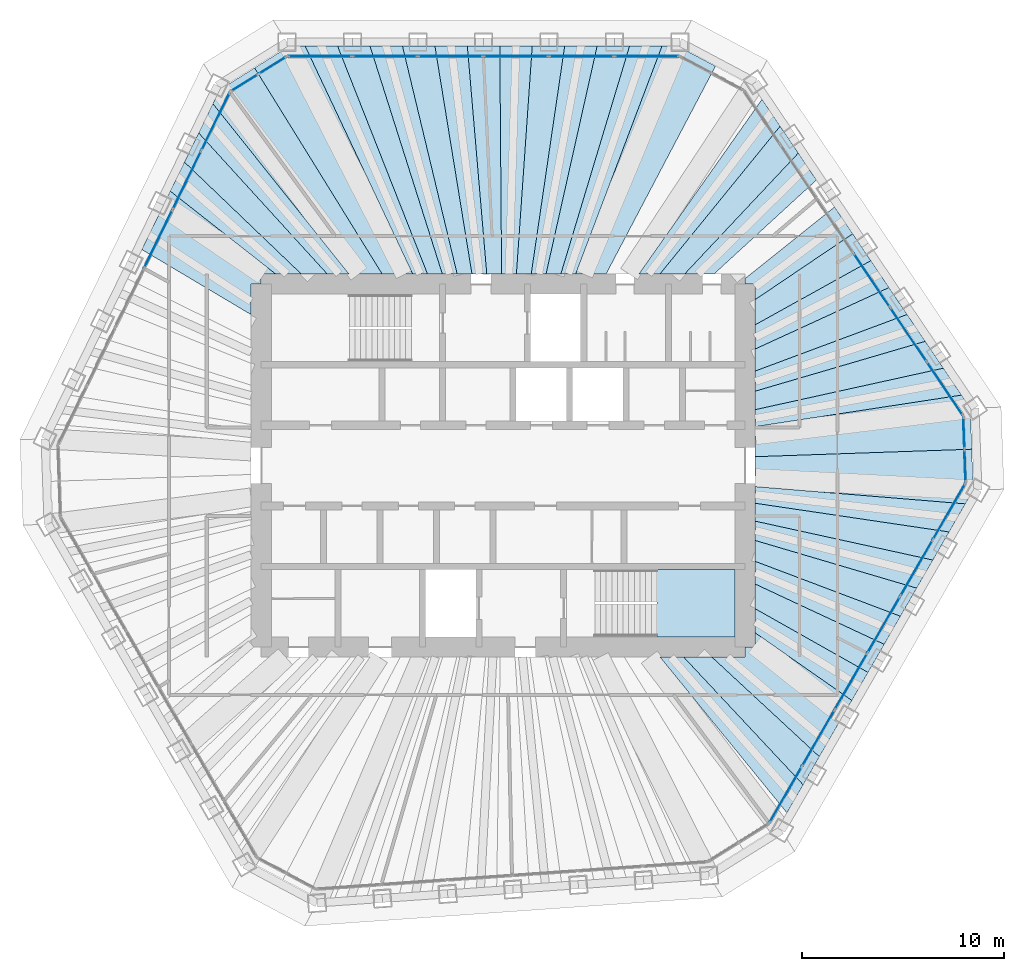
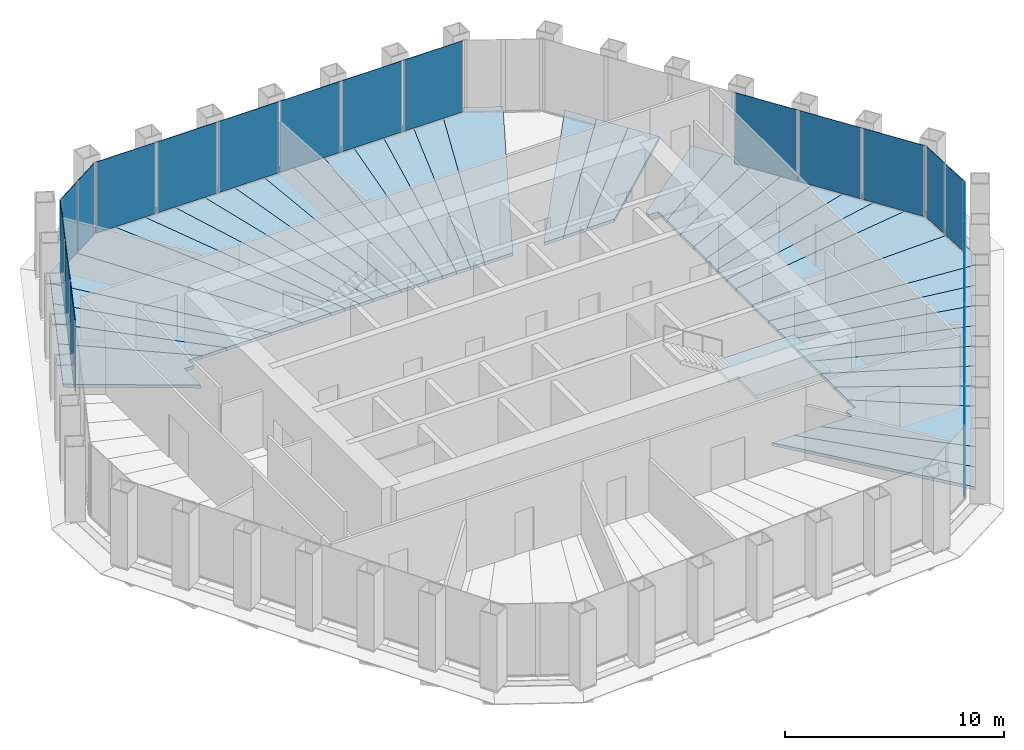
# One storey, part 10 of 14: 41 slabs, 22 plates, 7 elements without a shape of their own.
"""IFC4 building model written with IfcOpenShell, lengths in metres."""

from ifc_helpers import new_model, si_unit, direction, frame, origin, origin_2d, place, context, subcontext, project, spatial, polyline, rectangle, outline, extrude, material, layer, layer_set, type_object, element, aggregate, save


model = new_model("IFC4")

# Units and contexts
model_context = context("Model", 3, precision=1e-05, world=origin(), true_north=direction((0.0, 1.0)))
body_context = subcontext(model_context, "Body", "Model", "MODEL_VIEW")
ifc_project = project(units=[si_unit("LENGTHUNIT", "METRE"), si_unit("AREAUNIT", "SQUARE_METRE"), si_unit("VOLUMEUNIT", "CUBIC_METRE"), si_unit("PLANEANGLEUNIT", "RADIAN"), si_unit("MASSUNIT", "GRAM", prefix="KILO")], contexts=[model_context])

# Site, building, storey
site_placement = place(None, origin())
site = spatial("IfcSite", under=ifc_project, at=site_placement, CompositionType="ELEMENT")
building_placement = place(site_placement, origin())
building = spatial("IfcBuilding", under=site, at=building_placement, Name="Qingtian Harvest Tower", CompositionType="ELEMENT")
storey_placement = place(building_placement, frame((0.0, 0.0, 299.800048828125)))
storey = spatial("IfcBuildingStorey", under=building, at=storey_placement, Name="L66", CompositionType="ELEMENT", Elevation=299.800048828125)

# Slabs
ifc_material_1 = material(Name="Concrete fc' 35 MPa", Category="concrete")
ifc_layer_1 = layer(ifc_material_1, 0.169921875)
ifc_layer_set_1 = layer_set([ifc_layer_1], Name="Composite floor slab FS17 170")
slab_type_1 = type_object("IfcSlabType", Name="Composite floor slab FS17 170", PredefinedType="FLOOR", material=ifc_layer_set_1)
slab_1_placement = place(storey_placement, frame((0.0, 0.0, -0.170166015625)))
element("IfcSlab", 1, at=slab_1_placement, inside=storey, type_object=slab_type_1, Name="Floor slab L66 panel D28", PredefinedType="FLOOR", context=body_context, shape_type="SweptSolid", body=[
    extrude(outline(polyline([(8.957275390625, -9.5), (14.88232421875, -15.8330078125), (14.077880859375, -17.2265625), (7.78515625, -9.5), (8.957275390625, -9.5)])), origin(), (0.0, 0.0, 1.0), 0.170166015625),
])
slab_2_placement = place(storey_placement, frame((0.0, 0.0, -0.170166015625)))
element("IfcSlab", 2, at=slab_2_placement, inside=storey, type_object=slab_type_1, Name="Floor slab L66 panel D29", PredefinedType="FLOOR", context=body_context, shape_type="SweptSolid", body=[
    extrude(outline(polyline([(10.35693359375, -9.5), (15.68701171875, -14.439453125), (14.88232421875, -15.8330078125), (8.957275390625, -9.5), (10.35693359375, -9.5)])), origin(), (0.0, 0.0, 1.0), 0.170166015625),
])
slab_3_placement = place(storey_placement, frame((0.0, 0.0, -0.170166015625)))
element("IfcSlab", 3, at=slab_3_placement, inside=storey, type_object=slab_type_1, Name="Floor slab L66 panel D31", PredefinedType="FLOOR", context=body_context, shape_type="SweptSolid", body=[
    extrude(outline(polyline([(12.5, -8.29443359375), (17.297119140625, -11.650390625), (15.68701171875, -14.439453125), (10.35693359375, -9.5), (12.0, -9.5), (12.0, -9.0), (12.5, -9.0), (12.5, -8.29443359375)])), origin(), (0.0, 0.0, 1.0), 0.170166015625),
])
slab_4_placement = place(storey_placement, frame((0.0, 0.0, -0.170166015625)))
element("IfcSlab", 4, at=slab_4_placement, inside=storey, type_object=slab_type_1, Name="Floor slab L66 panel D32", PredefinedType="FLOOR", context=body_context, shape_type="SweptSolid", body=[
    extrude(outline(polyline([(12.5, -7.099853515625), (18.099853515625, -10.26025390625), (17.297119140625, -11.650390625), (12.5, -8.29443359375), (12.5, -7.099853515625)])), origin(), (0.0, 0.0, 1.0), 0.170166015625),
])
slab_5_placement = place(storey_placement, frame((0.0, 0.0, -0.170166015625)))
element("IfcSlab", 5, at=slab_5_placement, inside=storey, type_object=slab_type_1, Name="Floor slab L66 panel D33", PredefinedType="FLOOR", context=body_context, shape_type="SweptSolid", body=[
    extrude(outline(polyline([(12.5, -5.875244140625), (18.904296875, -8.86669921875), (18.099853515625, -10.26025390625), (12.5, -7.099853515625), (12.5, -5.875244140625)])), origin(), (0.0, 0.0, 1.0), 0.170166015625),
])
slab_6_placement = place(storey_placement, frame((0.0, 0.0, -0.170166015625)))
element("IfcSlab", 6, at=slab_6_placement, inside=storey, type_object=slab_type_1, Name="Floor slab L66 panel D34", PredefinedType="FLOOR", context=body_context, shape_type="SweptSolid", body=[
    extrude(outline(polyline([(12.5, -4.750732421875), (19.708740234375, -7.473388671875), (18.904296875, -8.86669921875), (12.5, -5.875244140625), (12.5, -4.750732421875)])), origin(), (0.0, 0.0, 1.0), 0.170166015625),
])
slab_7_placement = place(storey_placement, frame((0.0, 0.0, -0.170166015625)))
element("IfcSlab", 7, at=slab_7_placement, inside=storey, type_object=slab_type_1, Name="Floor slab L66 panel D35", PredefinedType="FLOOR", context=body_context, shape_type="SweptSolid", body=[
    extrude(outline(polyline([(12.5, -3.714599609375), (20.51318359375, -6.080078125), (19.708740234375, -7.473388671875), (12.5, -4.750732421875), (12.5, -3.714599609375)])), origin(), (0.0, 0.0, 1.0), 0.170166015625),
])
slab_8_placement = place(storey_placement, frame((0.0, 0.0, -0.170166015625)))
element("IfcSlab", 8, at=slab_8_placement, inside=storey, type_object=slab_type_1, Name="Floor slab L66 panel D36", PredefinedType="FLOOR", context=body_context, shape_type="SweptSolid", body=[
    extrude(outline(polyline([(12.5, -2.756591796875), (21.317626953125, -4.6865234375), (20.51318359375, -6.080078125), (12.5, -3.714599609375), (12.5, -2.756591796875)])), origin(), (0.0, 0.0, 1.0), 0.170166015625),
])
slab_9_placement = place(storey_placement, frame((0.0, 0.0, -0.170166015625)))
element("IfcSlab", 9, at=slab_9_placement, inside=storey, type_object=slab_type_1, Name="Floor slab L66 panel D37", PredefinedType="FLOOR", context=body_context, shape_type="SweptSolid", body=[
    extrude(outline(polyline([(12.5, -1.868408203125), (22.122314453125, -3.293212890625), (21.317626953125, -4.6865234375), (12.5, -2.756591796875), (12.5, -1.868408203125)])), origin(), (0.0, 0.0, 1.0), 0.170166015625),
])
slab_10_placement = place(storey_placement, frame((0.0, 0.0, -0.170166015625)))
element("IfcSlab", 10, at=slab_10_placement, inside=storey, type_object=slab_type_1, Name="Floor slab L66 panel D38", PredefinedType="FLOOR", context=body_context, shape_type="SweptSolid", body=[
    extrude(outline(polyline([(12.5, -1.042724609375), (22.9267578125, -1.89990234375), (22.122314453125, -3.293212890625), (12.5, -1.868408203125), (12.5, -1.042724609375)])), origin(), (0.0, 0.0, 1.0), 0.170166015625),
])
slab_11_placement = place(storey_placement, frame((0.0, 0.0, -0.170166015625)))
element("IfcSlab", 11, at=slab_11_placement, inside=storey, type_object=slab_type_1, Name="Floor slab L66 panel D39", PredefinedType="FLOOR", context=body_context, shape_type="SweptSolid", body=[
    extrude(outline(polyline([(12.5, -1.042724609375), (12.5, 0.439697265625), (23.246826171875, 0.811767578125), (23.31787109375, -1.22216796875), (22.9267578125, -1.89990234375), (12.5, -1.042724609375)])), origin(), (0.0, 0.0, 1.0), 0.170166015625),
])
slab_12_placement = place(storey_placement, frame((0.0, 0.0, -0.170166015625)))
element("IfcSlab", 12, at=slab_12_placement, inside=storey, type_object=slab_type_1, Name="Floor slab L66 panel D40", PredefinedType="FLOOR", context=body_context, shape_type="SweptSolid", body=[
    extrude(outline(polyline([(12.5, 0.439697265625), (12.5, 1.928955078125), (22.73828125, 3.494384765625), (23.17578125, 2.845947265625), (23.246826171875, 0.811767578125), (12.5, 0.439697265625)])), origin(), (0.0, 0.0, 1.0), 0.170166015625),
])
slab_13_placement = place(storey_placement, frame((0.0, 0.0, -0.170166015625)))
element("IfcSlab", 13, at=slab_13_placement, inside=storey, type_object=slab_type_1, Name="Floor slab L66 panel D41", PredefinedType="FLOOR", context=body_context, shape_type="SweptSolid", body=[
    extrude(outline(polyline([(12.5, 2.772705078125), (21.838623046875, 4.828369140625), (22.73828125, 3.494384765625), (12.5, 1.928955078125), (12.5, 2.772705078125)])), origin(), (0.0, 0.0, 1.0), 0.170166015625),
])
slab_14_placement = place(storey_placement, frame((0.0, 0.0, -0.170166015625)))
element("IfcSlab", 14, at=slab_14_placement, inside=storey, type_object=slab_type_1, Name="Floor slab L66 panel D42", PredefinedType="FLOOR", context=body_context, shape_type="SweptSolid", body=[
    extrude(outline(polyline([(12.5, 3.688720703125), (20.93896484375, 6.162353515625), (21.838623046875, 4.828369140625), (12.5, 2.772705078125), (12.5, 3.688720703125)])), origin(), (0.0, 0.0, 1.0), 0.170166015625),
])
slab_15_placement = place(storey_placement, frame((0.0, 0.0, -0.170166015625)))
element("IfcSlab", 15, at=slab_15_placement, inside=storey, type_object=slab_type_1, Name="Floor slab L66 panel D43", PredefinedType="FLOOR", context=body_context, shape_type="SweptSolid", body=[
    extrude(outline(polyline([(12.5, 4.6875), (20.0390625, 7.49609375), (20.93896484375, 6.162353515625), (12.5, 3.688720703125), (12.5, 4.6875)])), origin(), (0.0, 0.0, 1.0), 0.170166015625),
])
slab_16_placement = place(storey_placement, frame((0.0, 0.0, -0.170166015625)))
element("IfcSlab", 16, at=slab_16_placement, inside=storey, type_object=slab_type_1, Name="Floor slab L66 panel D44", PredefinedType="FLOOR", context=body_context, shape_type="SweptSolid", body=[
    extrude(outline(polyline([(12.5, 5.780029296875), (19.139404296875, 8.830078125), (20.0390625, 7.49609375), (12.5, 4.6875), (12.5, 5.780029296875)])), origin(), (0.0, 0.0, 1.0), 0.170166015625),
])
slab_17_placement = place(storey_placement, frame((0.0, 0.0, -0.170166015625)))
element("IfcSlab", 17, at=slab_17_placement, inside=storey, type_object=slab_type_1, Name="Floor slab L66 panel D45", PredefinedType="FLOOR", context=body_context, shape_type="SweptSolid", body=[
    extrude(outline(polyline([(12.5, 6.980712890625), (18.23974609375, 10.1640625), (19.139404296875, 8.830078125), (12.5, 5.780029296875), (12.5, 6.980712890625)])), origin(), (0.0, 0.0, 1.0), 0.170166015625),
])
slab_18_placement = place(storey_placement, frame((0.0, 0.0, -0.170166015625)))
element("IfcSlab", 18, at=slab_18_placement, inside=storey, type_object=slab_type_1, Name="Floor slab L66 panel D46", PredefinedType="FLOOR", context=body_context, shape_type="SweptSolid", body=[
    extrude(outline(polyline([(12.5, 8.22998046875), (17.341064453125, 11.496337890625), (18.23974609375, 10.1640625), (12.5, 6.980712890625), (12.5, 8.22998046875)])), origin(), (0.0, 0.0, 1.0), 0.170166015625),
])
slab_19_placement = place(storey_placement, frame((0.0, 0.0, -0.170166015625)))
element("IfcSlab", 19, at=slab_19_placement, inside=storey, type_object=slab_type_1, Name="Floor slab L66 panel D47", PredefinedType="FLOOR", context=body_context, shape_type="SweptSolid", body=[
    extrude(outline(polyline([(12.5, 9.0), (12.0, 9.0), (12.0, 9.2734375), (16.44189453125, 12.829345703125), (17.341064453125, 11.496337890625), (12.5, 8.22998046875), (12.5, 9.0)])), origin(), (0.0, 0.0, 1.0), 0.170166015625),
])
slab_20_placement = place(storey_placement, frame((0.0, 0.0, -0.170166015625)))
element("IfcSlab", 20, at=slab_20_placement, inside=storey, type_object=slab_type_1, Name="Floor slab L66 panel D49", PredefinedType="FLOOR", context=body_context, shape_type="SweptSolid", body=[
    extrude(outline(polyline([(9.002685546875, 9.5), (14.641357421875, 15.498779296875), (15.541259765625, 14.16455078125), (10.4599609375, 9.5), (9.002685546875, 9.5)])), origin(), (0.0, 0.0, 1.0), 0.170166015625),
])
slab_21_placement = place(storey_placement, frame((0.0, 0.0, -0.170166015625)))
element("IfcSlab", 21, at=slab_21_placement, inside=storey, type_object=slab_type_1, Name="Floor slab L66 panel D50", PredefinedType="FLOOR", context=body_context, shape_type="SweptSolid", body=[
    extrude(outline(polyline([(7.77734375, 9.5), (13.74169921875, 16.832763671875), (14.641357421875, 15.498779296875), (9.002685546875, 9.5), (7.77734375, 9.5)])), origin(), (0.0, 0.0, 1.0), 0.170166015625),
])
slab_22_placement = place(storey_placement, frame((0.0, 0.0, -0.170166015625)))
element("IfcSlab", 22, at=slab_22_placement, inside=storey, type_object=slab_type_1, Name="Floor slab L66 panel D51", PredefinedType="FLOOR", context=body_context, shape_type="SweptSolid", body=[
    extrude(outline(polyline([(6.73291015625, 9.5), (12.841796875, 18.16650390625), (13.74169921875, 16.832763671875), (7.77734375, 9.5), (6.73291015625, 9.5)])), origin(), (0.0, 0.0, 1.0), 0.170166015625),
])
slab_23_placement = place(storey_placement, frame((0.0, 0.0, -0.170166015625)))
element("IfcSlab", 23, at=slab_23_placement, inside=storey, type_object=slab_type_1, Name="Floor slab L66 panel D53", PredefinedType="FLOOR", context=body_context, shape_type="SweptSolid", body=[
    extrude(outline(polyline([(3.59814453125, 9.5), (7.880126953125, 20.804931640625), (8.662109375, 20.804931640625), (10.5341796875, 19.809814453125), (5.108154296875, 9.5), (3.59814453125, 9.5)])), origin(), (0.0, 0.0, 1.0), 0.170166015625),
])
slab_24_placement = place(storey_placement, frame((0.0, 0.0, -0.170166015625)))
element("IfcSlab", 24, at=slab_24_placement, inside=storey, type_object=slab_type_1, Name="Floor slab L66 panel D54", PredefinedType="FLOOR", context=body_context, shape_type="SweptSolid", body=[
    extrude(outline(polyline([(2.863525390625, 9.5), (6.27099609375, 20.804931640625), (7.880126953125, 20.804931640625), (3.59814453125, 9.5), (2.863525390625, 9.5)])), origin(), (0.0, 0.0, 1.0), 0.170166015625),
])
slab_25_placement = place(storey_placement, frame((0.0, 0.0, -0.170166015625)))
element("IfcSlab", 25, at=slab_25_placement, inside=storey, type_object=slab_type_1, Name="Floor slab L66 panel D55", PredefinedType="FLOOR", context=body_context, shape_type="SweptSolid", body=[
    extrude(outline(polyline([(2.12890625, 9.5), (4.662109375, 20.804931640625), (6.27099609375, 20.804931640625), (2.863525390625, 9.5), (2.12890625, 9.5)])), origin(), (0.0, 0.0, 1.0), 0.170166015625),
])
slab_26_placement = place(storey_placement, frame((0.0, 0.0, -0.170166015625)))
element("IfcSlab", 26, at=slab_26_placement, inside=storey, type_object=slab_type_1, Name="Floor slab L66 panel D56", PredefinedType="FLOOR", context=body_context, shape_type="SweptSolid", body=[
    extrude(outline(polyline([(1.394287109375, 9.5), (3.05322265625, 20.804931640625), (4.662109375, 20.804931640625), (2.12890625, 9.5), (1.394287109375, 9.5)])), origin(), (0.0, 0.0, 1.0), 0.170166015625),
])
slab_27_placement = place(storey_placement, frame((0.0, 0.0, -0.170166015625)))
element("IfcSlab", 27, at=slab_27_placement, inside=storey, type_object=slab_type_1, Name="Floor slab L66 panel D57", PredefinedType="FLOOR", context=body_context, shape_type="SweptSolid", body=[
    extrude(outline(polyline([(0.659423828125, 9.5), (1.4443359375, 20.804931640625), (3.05322265625, 20.804931640625), (1.394287109375, 9.5), (0.659423828125, 9.5)])), origin(), (0.0, 0.0, 1.0), 0.170166015625),
])
slab_28_placement = place(storey_placement, frame((0.0, 0.0, -0.170166015625)))
element("IfcSlab", 28, at=slab_28_placement, inside=storey, type_object=slab_type_1, Name="Floor slab L66 panel D58", PredefinedType="FLOOR", context=body_context, shape_type="SweptSolid", body=[
    extrude(outline(polyline([(-0.0751953125, 9.5), (-0.16455078125, 20.804931640625), (1.4443359375, 20.804931640625), (0.659423828125, 9.5), (-0.0751953125, 9.5)])), origin(), (0.0, 0.0, 1.0), 0.170166015625),
])
slab_29_placement = place(storey_placement, frame((0.0, 0.0, -0.170166015625)))
element("IfcSlab", 29, at=slab_29_placement, inside=storey, type_object=slab_type_1, Name="Floor slab L66 panel D59", PredefinedType="FLOOR", context=body_context, shape_type="SweptSolid", body=[
    extrude(outline(polyline([(-0.809814453125, 9.5), (-1.773681640625, 20.804931640625), (-0.16455078125, 20.804931640625), (-0.0751953125, 9.5), (-0.809814453125, 9.5)])), origin(), (0.0, 0.0, 1.0), 0.170166015625),
])
slab_30_placement = place(storey_placement, frame((0.0, 0.0, -0.170166015625)))
element("IfcSlab", 30, at=slab_30_placement, inside=storey, type_object=slab_type_1, Name="Floor slab L66 panel D60", PredefinedType="FLOOR", context=body_context, shape_type="SweptSolid", body=[
    extrude(outline(polyline([(-1.54443359375, 9.5), (-3.382568359375, 20.804931640625), (-1.773681640625, 20.804931640625), (-0.809814453125, 9.5), (-1.54443359375, 9.5)])), origin(), (0.0, 0.0, 1.0), 0.170166015625),
])
slab_31_placement = place(storey_placement, frame((0.0, 0.0, -0.170166015625)))
element("IfcSlab", 31, at=slab_31_placement, inside=storey, type_object=slab_type_1, Name="Floor slab L66 panel D61", PredefinedType="FLOOR", context=body_context, shape_type="SweptSolid", body=[
    extrude(outline(polyline([(-2.279296875, 9.5), (-4.991455078125, 20.804931640625), (-3.382568359375, 20.804931640625), (-1.54443359375, 9.5), (-2.279296875, 9.5)])), origin(), (0.0, 0.0, 1.0), 0.170166015625),
])
slab_32_placement = place(storey_placement, frame((0.0, 0.0, -0.170166015625)))
element("IfcSlab", 32, at=slab_32_placement, inside=storey, type_object=slab_type_1, Name="Floor slab L66 panel D62", PredefinedType="FLOOR", context=body_context, shape_type="SweptSolid", body=[
    extrude(outline(polyline([(-3.013916015625, 9.5), (-6.600341796875, 20.804931640625), (-4.991455078125, 20.804931640625), (-2.279296875, 9.5), (-3.013916015625, 9.5)])), origin(), (0.0, 0.0, 1.0), 0.170166015625),
])
slab_33_placement = place(storey_placement, frame((0.0, 0.0, -0.170166015625)))
element("IfcSlab", 33, at=slab_33_placement, inside=storey, type_object=slab_type_1, Name="Floor slab L66 panel D63", PredefinedType="FLOOR", context=body_context, shape_type="SweptSolid", body=[
    extrude(outline(polyline([(-3.74853515625, 9.5), (-8.209228515625, 20.804931640625), (-6.600341796875, 20.804931640625), (-3.013916015625, 9.5), (-3.74853515625, 9.5)])), origin(), (0.0, 0.0, 1.0), 0.170166015625),
])
slab_34_placement = place(storey_placement, frame((0.0, 0.0, -0.170166015625)))
element("IfcSlab", 34, at=slab_34_placement, inside=storey, type_object=slab_type_1, Name="Floor slab L66 panel D64", PredefinedType="FLOOR", context=body_context, shape_type="SweptSolid", body=[
    extrude(outline(polyline([(-4.483154296875, 9.5), (-9.818115234375, 20.804931640625), (-8.209228515625, 20.804931640625), (-3.74853515625, 9.5), (-4.483154296875, 9.5)])), origin(), (0.0, 0.0, 1.0), 0.170166015625),
])
slab_35_placement = place(storey_placement, frame((0.0, 0.0, -0.170166015625)))
element("IfcSlab", 35, at=slab_35_placement, inside=storey, type_object=slab_type_1, Name="Floor slab L66 panel D65", PredefinedType="FLOOR", context=body_context, shape_type="SweptSolid", body=[
    extrude(outline(polyline([(-4.483154296875, 9.5), (-5.998291015625, 9.5), (-12.327392578125, 19.725830078125), (-10.600341796875, 20.804931640625), (-9.818115234375, 20.804931640625), (-4.483154296875, 9.5)])), origin(), (0.0, 0.0, 1.0), 0.170166015625),
])
slab_36_placement = place(storey_placement, frame((0.0, 0.0, -0.170166015625)))
element("IfcSlab", 36, at=slab_36_placement, inside=storey, type_object=slab_type_1, Name="Floor slab L66 panel D66", PredefinedType="FLOOR", context=body_context, shape_type="SweptSolid", body=[
    extrude(outline(polyline([(-5.998291015625, 9.5), (-7.640869140625, 9.5), (-14.3955078125, 17.944580078125), (-14.052490234375, 18.64794921875), (-12.327392578125, 19.725830078125), (-5.998291015625, 9.5)])), origin(), (0.0, 0.0, 1.0), 0.170166015625),
])
slab_37_placement = place(storey_placement, frame((0.0, 0.0, -0.170166015625)))
element("IfcSlab", 37, at=slab_37_placement, inside=storey, type_object=slab_type_1, Name="Floor slab L66 panel D67", PredefinedType="FLOOR", context=body_context, shape_type="SweptSolid", body=[
    extrude(outline(polyline([(-8.720703125, 9.5), (-15.100830078125, 16.498291015625), (-14.3955078125, 17.944580078125), (-7.640869140625, 9.5), (-8.720703125, 9.5)])), origin(), (0.0, 0.0, 1.0), 0.170166015625),
])
slab_38_placement = place(storey_placement, frame((0.0, 0.0, -0.170166015625)))
element("IfcSlab", 38, at=slab_38_placement, inside=storey, type_object=slab_type_1, Name="Floor slab L66 panel D68", PredefinedType="FLOOR", context=body_context, shape_type="SweptSolid", body=[
    extrude(outline(polyline([(-10.00927734375, 9.5), (-15.80615234375, 15.05224609375), (-15.100830078125, 16.498291015625), (-8.720703125, 9.5), (-10.00927734375, 9.5)])), origin(), (0.0, 0.0, 1.0), 0.170166015625),
])
slab_39_placement = place(storey_placement, frame((0.0, 0.0, -0.170166015625)))
element("IfcSlab", 39, at=slab_39_placement, inside=storey, type_object=slab_type_1, Name="Floor slab L66 panel D69", PredefinedType="FLOOR", context=body_context, shape_type="SweptSolid", body=[
    extrude(outline(polyline([(-11.28125, 9.5), (-16.50927734375, 13.61083984375), (-15.80615234375, 15.05224609375), (-10.00927734375, 9.5), (-11.28125, 9.5)])), origin(), (0.0, 0.0, 1.0), 0.170166015625),
])
slab_40_placement = place(storey_placement, frame((0.0, 0.0, -0.170166015625)))
element("IfcSlab", 40, at=slab_40_placement, inside=storey, type_object=slab_type_1, Name="Floor slab L66 panel D70", PredefinedType="FLOOR", context=body_context, shape_type="SweptSolid", body=[
    extrude(outline(polyline([(-12.0, 9.0), (-12.5, 9.0), (-12.5, 7.48583984375), (-17.921875, 10.714599609375), (-16.50927734375, 13.61083984375), (-11.28125, 9.5), (-12.0, 9.5), (-12.0, 9.0)])), origin(), (0.0, 0.0, 1.0), 0.170166015625),
])

# Curtain wall, plates
ifc_material_2 = material(Name="Bronze-anodised aluminium curtain wall", Category="aluminium")
curtain_wall_type = type_object("IfcCurtainWallType", Name="Curtain wall CW5 upper office", PredefinedType="USERDEFINED", material=ifc_material_2)
curtain_wall_1_placement = place(storey_placement, origin())
curtain_wall_1 = element("IfcCurtainWall", 41, at=curtain_wall_1_placement, inside=storey, type_object=curtain_wall_type, Name="Curtain wall CW5 L66 N0-5", ObjectType="RECESSED CURTAIN WALL", PredefinedType="USERDEFINED")
ifc_material_3 = material(Name="Bronze-tinted laminated insulating glass", Category="glass")
ifc_layer_2 = layer(ifc_material_3, 0.030029296875)
ifc_layer_set_2 = layer_set([ifc_layer_2], Name="Glazed panel CWP tinted IGU")
plate_type = type_object("IfcPlateType", Name="Glazed panel CWP tinted IGU", PredefinedType="CURTAIN_PANEL", material=ifc_layer_set_2)
plate_1_placement = place(storey_placement, frame((-9.08203125, 20.300048828125, 0.06494140625), z_axis=(0.0, 0.0, 1.0), x_axis=(1.0, 0.0, 0.0)))
plate_1 = element("IfcPlate", 42, at=plate_1_placement, type_object=plate_type, Name="CW5 panel 1.1", PredefinedType="CURTAIN_PANEL", context=body_context, shape_type="SweptSolid", body=[
    extrude(rectangle(XDim=3.150634765625, YDim=0.030029296875, at=origin_2d()), origin(), (0.0, 0.0, 1.0), 3.965087890625),
])
plate_2_placement = place(storey_placement, frame((-5.85009765625, 20.300048828125, 0.06494140625), z_axis=(0.0, 0.0, 1.0), x_axis=(1.0, 0.0, 0.0)))
plate_2 = element("IfcPlate", 43, at=plate_2_placement, type_object=plate_type, Name="CW5 panel 2.1", PredefinedType="CURTAIN_PANEL", context=body_context, shape_type="SweptSolid", body=[
    extrude(rectangle(XDim=3.18310546875, YDim=0.030029296875, at=origin_2d()), origin(), (0.0, 0.0, 1.0), 3.965087890625),
])
plate_3_placement = place(storey_placement, frame((-2.602294921875, 20.300048828125, 0.06494140625), z_axis=(0.0, 0.0, 1.0), x_axis=(1.0, 0.0, 0.0)))
plate_3 = element("IfcPlate", 44, at=plate_3_placement, type_object=plate_type, Name="CW5 panel 3.1", PredefinedType="CURTAIN_PANEL", context=body_context, shape_type="SweptSolid", body=[
    extrude(rectangle(XDim=3.18310546875, YDim=0.030029296875, at=origin_2d()), origin(), (0.0, 0.0, 1.0), 3.965087890625),
])
plate_4_placement = place(storey_placement, frame((0.645751953125, 20.300048828125, 0.06494140625), z_axis=(0.0, 0.0, 1.0), x_axis=(1.0, 0.0, 0.0)))
plate_4 = element("IfcPlate", 45, at=plate_4_placement, type_object=plate_type, Name="CW5 panel 4.1", PredefinedType="CURTAIN_PANEL", context=body_context, shape_type="SweptSolid", body=[
    extrude(rectangle(XDim=3.18310546875, YDim=0.030029296875, at=origin_2d()), origin(), (0.0, 0.0, 1.0), 3.965087890625),
])
plate_5_placement = place(storey_placement, frame((3.893798828125, 20.300048828125, 0.06494140625), z_axis=(0.0, 0.0, 1.0), x_axis=(1.0, 0.0, 0.0)))
plate_5 = element("IfcPlate", 46, at=plate_5_placement, type_object=plate_type, Name="CW5 panel 5.1", PredefinedType="CURTAIN_PANEL", context=body_context, shape_type="SweptSolid", body=[
    extrude(rectangle(XDim=3.18310546875, YDim=0.030029296875, at=origin_2d()), origin(), (0.0, 0.0, 1.0), 3.965087890625),
])
plate_6_placement = place(storey_placement, frame((7.125732421875, 20.300048828125, 0.06494140625), z_axis=(0.0, 0.0, 1.0), x_axis=(1.0, 0.0, 0.0)))
plate_6 = element("IfcPlate", 47, at=plate_6_placement, type_object=plate_type, Name="CW5 panel 6.1", PredefinedType="CURTAIN_PANEL", context=body_context, shape_type="SweptSolid", body=[
    extrude(rectangle(XDim=3.150634765625, YDim=0.030029296875, at=origin_2d()), origin(), (0.0, 0.0, 1.0), 3.965087890625),
])
aggregate(curtain_wall_1, [plate_1, plate_2, plate_3, plate_4, plate_5, plate_6])

curtain_wall_2_placement = place(storey_placement, origin())
curtain_wall_2 = element("IfcCurtainWall", 48, at=curtain_wall_2_placement, inside=storey, type_object=curtain_wall_type, Name="Curtain wall CW5 L66 NE0-5", ObjectType="RECESSED CURTAIN WALL", PredefinedType="USERDEFINED")
plate_7_placement = place(storey_placement, frame((18.28466796875, 9.1943359375, 0.06494140625), z_axis=(0.0, 0.0, 1.0), x_axis=(0.559192903471, -0.829037572555, 0.0)))
plate_7 = element("IfcPlate", 49, at=plate_7_placement, type_object=plate_type, Name="CW5 panel 4.1", PredefinedType="CURTAIN_PANEL", context=body_context, shape_type="SweptSolid", body=[
    extrude(rectangle(XDim=3.18310546875, YDim=0.030029296875, at=origin_2d()), origin(), (0.0, 0.0, 1.0), 3.965087890625),
])
plate_8_placement = place(storey_placement, frame((20.100830078125, 6.50146484375, 0.06494140625), z_axis=(0.0, 0.0, 1.0), x_axis=(0.559192903471, -0.829037572555, 0.0)))
plate_8 = element("IfcPlate", 50, at=plate_8_placement, type_object=plate_type, Name="CW5 panel 5.1", PredefinedType="CURTAIN_PANEL", context=body_context, shape_type="SweptSolid", body=[
    extrude(rectangle(XDim=3.18310546875, YDim=0.030029296875, at=origin_2d()), origin(), (0.0, 0.0, 1.0), 3.965087890625),
])
plate_9_placement = place(storey_placement, frame((21.907958984375, 3.822265625, 0.06494140625), z_axis=(0.0, 0.0, 1.0), x_axis=(0.559192903471, -0.829037572555, 0.0)))
plate_9 = element("IfcPlate", 51, at=plate_9_placement, type_object=plate_type, Name="CW5 panel 6.1", PredefinedType="CURTAIN_PANEL", context=body_context, shape_type="SweptSolid", body=[
    extrude(rectangle(XDim=3.150634765625, YDim=0.030029296875, at=origin_2d()), origin(), (0.0, 0.0, 1.0), 3.965087890625),
])
aggregate(curtain_wall_2, [plate_7, plate_8, plate_9])

curtain_wall_3_placement = place(storey_placement, origin())
curtain_wall_3 = element("IfcCurtainWall", 52, at=curtain_wall_3_placement, inside=storey, type_object=curtain_wall_type, Name="Curtain wall CW5 L66 NEC", ObjectType="RECESSED CURTAIN WALL", PredefinedType="USERDEFINED")
plate_10_placement = place(storey_placement, frame((22.85498046875, 1.614501953125, 0.06494140625), z_axis=(0.0, 0.0, 1.0), x_axis=(0.034899496703, -0.999390827019, 0.0)))
plate_10 = element("IfcPlate", 53, at=plate_10_placement, type_object=plate_type, Name="CW5 panel 1.1", PredefinedType="CURTAIN_PANEL", context=body_context, shape_type="SweptSolid", body=[
    extrude(rectangle(XDim=1.56689453125, YDim=0.030029296875, at=origin_2d()), origin(), (0.0, 0.0, 1.0), 3.965087890625),
])
plate_11_placement = place(storey_placement, frame((22.911865234375, -0.016357421875, 0.06494140625), z_axis=(0.0, 0.0, 1.0), x_axis=(0.034899496703, -0.999390827019, 0.0)))
plate_11 = element("IfcPlate", 54, at=plate_11_placement, type_object=plate_type, Name="CW5 panel 2.1", PredefinedType="CURTAIN_PANEL", context=body_context, shape_type="SweptSolid", body=[
    extrude(rectangle(XDim=1.56689453125, YDim=0.030029296875, at=origin_2d()), origin(), (0.0, 0.0, 1.0), 3.965087890625),
])
aggregate(curtain_wall_3, [plate_10, plate_11])

curtain_wall_4_placement = place(storey_placement, origin())
curtain_wall_4 = element("IfcCurtainWall", 55, at=curtain_wall_4_placement, inside=storey, type_object=curtain_wall_type, Name="Curtain wall CW5 L66 SE0-5", ObjectType="RECESSED CURTAIN WALL", PredefinedType="USERDEFINED")
plate_12_placement = place(storey_placement, frame((22.121337890625, -2.28466796875, 0.06494140625), z_axis=(0.0, 0.0, 1.0), x_axis=(-0.5, -0.866025403784, 0.0)))
plate_12 = element("IfcPlate", 56, at=plate_12_placement, type_object=plate_type, Name="CW5 panel 1.1", PredefinedType="CURTAIN_PANEL", context=body_context, shape_type="SweptSolid", body=[
    extrude(rectangle(XDim=3.150634765625, YDim=0.030029296875, at=origin_2d()), origin(), (0.0, 0.0, 1.0), 3.965087890625),
])
plate_13_placement = place(storey_placement, frame((20.50537109375, -5.08349609375, 0.06494140625), z_axis=(0.0, 0.0, 1.0), x_axis=(-0.5, -0.866025403784, 0.0)))
plate_13 = element("IfcPlate", 57, at=plate_13_placement, type_object=plate_type, Name="CW5 panel 2.1", PredefinedType="CURTAIN_PANEL", context=body_context, shape_type="SweptSolid", body=[
    extrude(rectangle(XDim=3.18310546875, YDim=0.030029296875, at=origin_2d()), origin(), (0.0, 0.0, 1.0), 3.965087890625),
])
plate_14_placement = place(storey_placement, frame((18.88134765625, -7.896484375, 0.06494140625), z_axis=(0.0, 0.0, 1.0), x_axis=(-0.5, -0.866025403784, 0.0)))
plate_14 = element("IfcPlate", 58, at=plate_14_placement, type_object=plate_type, Name="CW5 panel 3.1", PredefinedType="CURTAIN_PANEL", context=body_context, shape_type="SweptSolid", body=[
    extrude(rectangle(XDim=3.18310546875, YDim=0.030029296875, at=origin_2d()), origin(), (0.0, 0.0, 1.0), 3.965087890625),
])
plate_15_placement = place(storey_placement, frame((17.25732421875, -10.709228515625, 0.06494140625), z_axis=(0.0, 0.0, 1.0), x_axis=(-0.5, -0.866025403784, 0.0)))
plate_15 = element("IfcPlate", 59, at=plate_15_placement, type_object=plate_type, Name="CW5 panel 4.1", PredefinedType="CURTAIN_PANEL", context=body_context, shape_type="SweptSolid", body=[
    extrude(rectangle(XDim=3.18310546875, YDim=0.030029296875, at=origin_2d()), origin(), (0.0, 0.0, 1.0), 3.965087890625),
])
plate_16_placement = place(storey_placement, frame((15.63330078125, -13.522216796875, 0.06494140625), z_axis=(0.0, 0.0, 1.0), x_axis=(-0.5, -0.866025403784, 0.0)))
plate_16 = element("IfcPlate", 60, at=plate_16_placement, type_object=plate_type, Name="CW5 panel 5.1", PredefinedType="CURTAIN_PANEL", context=body_context, shape_type="SweptSolid", body=[
    extrude(rectangle(XDim=3.18310546875, YDim=0.030029296875, at=origin_2d()), origin(), (0.0, 0.0, 1.0), 3.965087890625),
])
plate_17_placement = place(storey_placement, frame((14.017578125, -16.321044921875, 0.06494140625), z_axis=(0.0, 0.0, 1.0), x_axis=(-0.5, -0.866025403784, 0.0)))
plate_17 = element("IfcPlate", 61, at=plate_17_placement, type_object=plate_type, Name="CW5 panel 6.1", PredefinedType="CURTAIN_PANEL", context=body_context, shape_type="SweptSolid", body=[
    extrude(rectangle(XDim=3.150634765625, YDim=0.030029296875, at=origin_2d()), origin(), (0.0, 0.0, 1.0), 3.965087890625),
])
aggregate(curtain_wall_4, [plate_12, plate_13, plate_14, plate_15, plate_16, plate_17])

curtain_wall_5_placement = place(storey_placement, origin())
curtain_wall_5 = element("IfcCurtainWall", 62, at=curtain_wall_5_placement, inside=storey, type_object=curtain_wall_type, Name="Curtain wall CW5 L66 NW0-5", ObjectType="RECESSED CURTAIN WALL", PredefinedType="USERDEFINED")
plate_18_placement = place(storey_placement, frame((-17.104736328125, 11.23779296875, 0.06494140625), z_axis=(0.0, 0.0, 1.0), x_axis=(0.438371146789, 0.898794046299, 0.0)))
plate_18 = element("IfcPlate", 63, at=plate_18_placement, type_object=plate_type, Name="CW5 panel 4.1", PredefinedType="CURTAIN_PANEL", context=body_context, shape_type="SweptSolid", body=[
    extrude(rectangle(XDim=3.18310546875, YDim=0.030029296875, at=origin_2d()), origin(), (0.0, 0.0, 1.0), 3.965087890625),
])
plate_19_placement = place(storey_placement, frame((-15.680908203125, 14.156982421875, 0.06494140625), z_axis=(0.0, 0.0, 1.0), x_axis=(0.438371146789, 0.898794046299, 0.0)))
plate_19 = element("IfcPlate", 64, at=plate_19_placement, type_object=plate_type, Name="CW5 panel 5.1", PredefinedType="CURTAIN_PANEL", context=body_context, shape_type="SweptSolid", body=[
    extrude(rectangle(XDim=3.18310546875, YDim=0.030029296875, at=origin_2d()), origin(), (0.0, 0.0, 1.0), 3.965087890625),
])
plate_20_placement = place(storey_placement, frame((-14.26416015625, 17.061767578125, 0.06494140625), z_axis=(0.0, 0.0, 1.0), x_axis=(0.438371146789, 0.898794046299, 0.0)))
plate_20 = element("IfcPlate", 65, at=plate_20_placement, type_object=plate_type, Name="CW5 panel 6.1", PredefinedType="CURTAIN_PANEL", context=body_context, shape_type="SweptSolid", body=[
    extrude(rectangle(XDim=3.150634765625, YDim=0.030029296875, at=origin_2d()), origin(), (0.0, 0.0, 1.0), 3.965087890625),
])
aggregate(curtain_wall_5, [plate_18, plate_19, plate_20])

curtain_wall_6_placement = place(storey_placement, origin())
curtain_wall_6 = element("IfcCurtainWall", 66, at=curtain_wall_6_placement, inside=storey, type_object=curtain_wall_type, Name="Curtain wall CW5 L66 NWC", ObjectType="RECESSED CURTAIN WALL", PredefinedType="USERDEFINED")
plate_21_placement = place(storey_placement, frame((-12.82568359375, 18.985595703125, 0.06494140625), z_axis=(0.0, 0.0, 1.0), x_axis=(0.848048096156, 0.529919264233, 0.0)))
plate_21 = element("IfcPlate", 67, at=plate_21_placement, type_object=plate_type, Name="CW5 panel 1.1", PredefinedType="CURTAIN_PANEL", context=body_context, shape_type="SweptSolid", body=[
    extrude(rectangle(XDim=1.56689453125, YDim=0.030029296875, at=origin_2d()), origin(), (0.0, 0.0, 1.0), 3.965087890625),
])
plate_22_placement = place(storey_placement, frame((-11.441650390625, 19.850341796875, 0.06494140625), z_axis=(0.0, 0.0, 1.0), x_axis=(0.848048096156, 0.529919264233, 0.0)))
plate_22 = element("IfcPlate", 68, at=plate_22_placement, type_object=plate_type, Name="CW5 panel 2.1", PredefinedType="CURTAIN_PANEL", context=body_context, shape_type="SweptSolid", body=[
    extrude(rectangle(XDim=1.56689453125, YDim=0.030029296875, at=origin_2d()), origin(), (0.0, 0.0, 1.0), 3.965087890625),
])
aggregate(curtain_wall_6, [plate_21, plate_22])

# Stair, slab
ifc_material_4 = material(Name="Concrete fc' 35 MPa", Category="concrete")
stair_type = type_object("IfcStairType", Name="Special stair ST6 4200", PredefinedType="HALF_TURN_STAIR", material=ifc_material_4)
stair_placement = place(storey_placement, origin())
stair = element("IfcStair", 69, at=stair_placement, inside=storey, type_object=stair_type, Name="Special stair S2 L66", PredefinedType="HALF_TURN_STAIR")
ifc_material_5 = material(Name="Concrete fc' 35 MPa", Category="concrete")
ifc_layer_3 = layer(ifc_material_5, 0.199951171875)
ifc_layer_set_3 = layer_set([ifc_layer_3], Name="Stair landing SL2 200")
slab_type_2 = type_object("IfcSlabType", Name="Stair landing SL2 200", PredefinedType="LANDING", material=ifc_layer_set_3)
slab_41_placement = place(storey_placement, frame((0.0, 0.0, 1.89990234375)))
slab_41 = element("IfcSlab", 70, at=slab_41_placement, type_object=slab_type_2, Name="S2 landing 2", PredefinedType="LANDING", context=body_context, shape_type="SweptSolid", body=[
    extrude(outline(polyline([(7.530029296875, -8.5), (7.530029296875, -6.875), (7.6298828125, -6.875), (7.6298828125, -6.77490234375), (7.094970703125, -6.77490234375), (7.094970703125, -5.14990234375), (11.5, -5.14990234375), (11.5, -8.5), (7.530029296875, -8.5)])), origin(), (0.0, 0.0, 1.0), 0.199951171875),
])
aggregate(stair, [slab_41])

save(model, "model.ifc")
